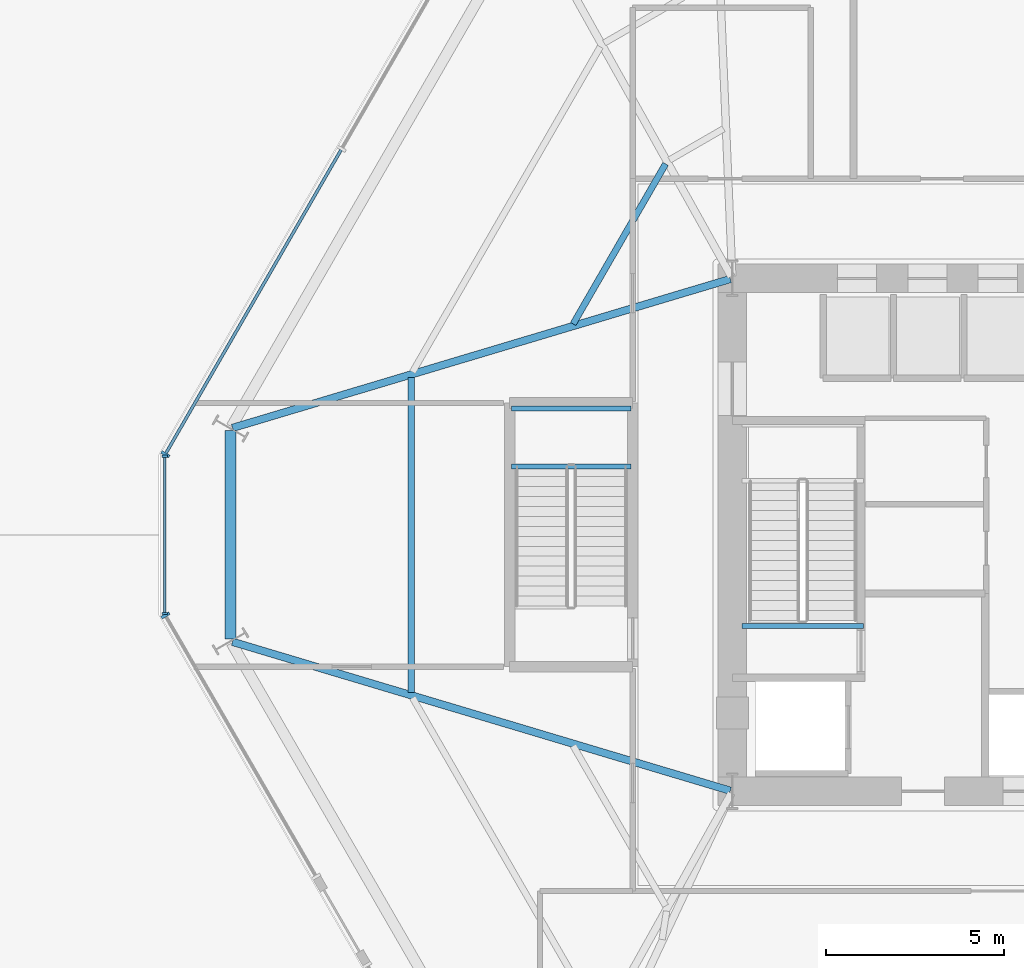
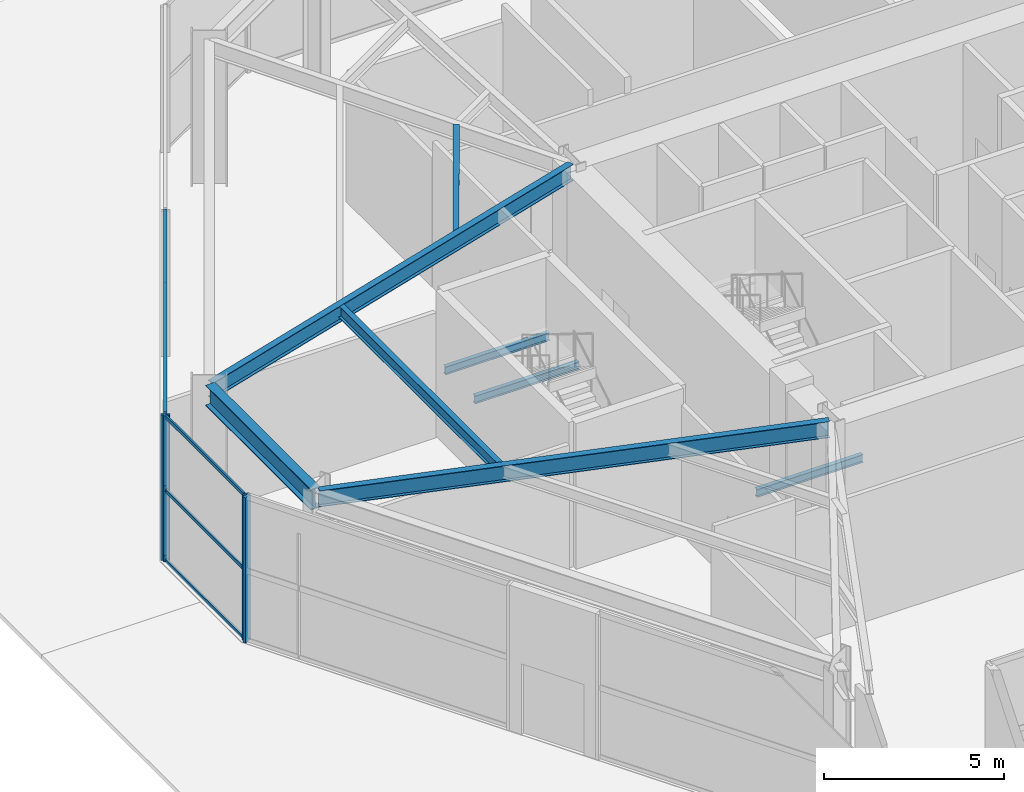
# One storey, part 7 of 26: 10 members, 8 beams, 3 elements without a shape of their own.
"""IFC4 building model written with IfcOpenShell, lengths in metres."""

import ifcopenshell
import ifcopenshell.guid

model = None  # the IFC model being written
_history = None  # IfcOwnerHistory: only IFC2X3 demands one
_inside = {}  # id of a spatial element -> (the spatial element, [elements in it])
_under = {}  # id of a project, library or spatial element -> (it, [spatial elements below it])
_declared = {}  # id of a project -> (the project, [libraries it declares])
_typed = {}  # id of a type object -> (the type object, [elements of that type])
_made_of = {}  # id of a material, layer set ... -> (it, [elements and type objects made of it])


def new_model(schema):
    """Start an empty IFC model of exactly this schema.

    Asked for "IFC4X3", IfcOpenShell would pick the latest addendum, in which some entities
    have other attributes; the version numbers below select the first issue.
    IFC2X3 requires an IfcOwnerHistory on every rooted entity: one is made here for all.
    """
    global model, _history
    if schema == "IFC4X3":
        model = ifcopenshell.file(schema_version=(4, 3, 0, 0))
    else:
        model = ifcopenshell.file(schema=schema)
    _inside.clear()
    _under.clear()
    _declared.clear()
    _typed.clear()
    _made_of.clear()
    _history = None
    if model.schema == "IFC2X3":
        org = make("IfcOrganization", Name="unknown")
        user = make(
            "IfcPersonAndOrganization",
            ThePerson=make("IfcPerson", FamilyName="unknown"),
            TheOrganization=org,
        )
        app = make(
            "IfcApplication",
            ApplicationDeveloper=org,
            Version="unknown",
            ApplicationFullName="unknown",
            ApplicationIdentifier="unknown",
        )
        _history = make(
            "IfcOwnerHistory",
            OwningUser=user,
            OwningApplication=app,
            ChangeAction="ADDED",
            CreationDate=0,
        )
    return model


def make(cls, **values):
    """One entity of the class cls with the attributes given. An attribute that is None is left unset."""
    return model.create_entity(
        cls, **{name: value for name, value in values.items() if value is not None}
    )


def rooted(cls, **values):
    """An entity with a GlobalId (a new one), such as an element, a storey or a relation."""
    return make(cls, GlobalId=ifcopenshell.guid.new(), OwnerHistory=_history, **values)


def si_unit(unit_type, name, prefix=None):
    """IfcSIUnit, for example si_unit("LENGTHUNIT", "METRE", prefix="MILLI")."""
    return make("IfcSIUnit", UnitType=unit_type, Prefix=prefix, Name=name)


def assignment(units):
    """IfcUnitAssignment: the units of a project."""
    return None if units is None else make("IfcUnitAssignment", Units=units)


def point(xyz):
    """IfcCartesianPoint."""
    return None if xyz is None else make("IfcCartesianPoint", Coordinates=xyz)


def direction(xyz):
    """IfcDirection."""
    return None if xyz is None else make("IfcDirection", DirectionRatios=xyz)


def frame(location, z_axis=None, x_axis=None):
    """IfcAxis2Placement3D, a coordinate frame: its origin and axes. An axis left out is left unset."""
    return make(
        "IfcAxis2Placement3D",
        Location=point(location),
        Axis=direction(z_axis),
        RefDirection=direction(x_axis),
    )


def frame_2d(location, x_axis=None):
    """IfcAxis2Placement2D, a coordinate frame in the plane: its origin and x axis."""
    return make(
        "IfcAxis2Placement2D", Location=point(location), RefDirection=direction(x_axis)
    )


def origin():
    """The frame at (0, 0, 0) with its axes left unset."""
    return frame((0.0, 0.0, 0.0))


def origin_2d():
    """The frame at (0, 0) in the plane with its x axis left unset."""
    return frame_2d((0.0, 0.0))


def place(relative_to, where):
    """IfcLocalPlacement: puts the frame where relative to a parent placement (None: the world)."""
    return make(
        "IfcLocalPlacement", PlacementRelTo=relative_to, RelativePlacement=where
    )


def context(
    kind, dimensions, precision=None, world=None, true_north=None, identifier=None
):
    """IfcGeometricRepresentationContext, for example the 3D "Model" context."""
    return make(
        "IfcGeometricRepresentationContext",
        ContextIdentifier=identifier,
        ContextType=kind,
        CoordinateSpaceDimension=dimensions,
        Precision=precision,
        WorldCoordinateSystem=world,
        TrueNorth=true_north,
    )


def subcontext(parent, identifier, kind, view, scale=None):
    """IfcGeometricRepresentationSubContext, for example "Body" below "Model"."""
    return make(
        "IfcGeometricRepresentationSubContext",
        ContextIdentifier=identifier,
        ContextType=kind,
        ParentContext=parent,
        TargetScale=scale,
        TargetView=view,
    )


def project(units=None, contexts=None):
    """IfcProject with its units and contexts."""
    return rooted(
        "IfcProject",
        Name="project",
        RepresentationContexts=contexts,
        UnitsInContext=assignment(units),
    )


def spatial(cls, under=None, at=None, **own):
    """A site, building, storey or space (cls), placed at a placement, below another one or the project."""
    s = rooted(cls, ObjectPlacement=at, **own)
    if under is not None:
        _under.setdefault(under.id(), (under, []))[1].append(s)
    return s


def profile(cls, at=None, kind="AREA", **sizes):
    """A parametric profile (cls). Its sizes go by their IFC names, for example OverallWidth=200.0."""
    return make(cls, ProfileType=kind, Position=at, **sizes)


def rectangle(**sizes):
    """IfcRectangleProfileDef."""
    return profile("IfcRectangleProfileDef", **sizes)


def i_section(**sizes):
    """IfcIShapeProfileDef."""
    return profile("IfcIShapeProfileDef", **sizes)


def extrude(swept, where, along, depth):
    """IfcExtrudedAreaSolid: the profile swept, set in the frame where, extruded along a direction by depth."""
    return make(
        "IfcExtrudedAreaSolid",
        SweptArea=swept,
        Position=where,
        ExtrudedDirection=direction(along),
        Depth=depth,
    )


def shape(context_of_items, identifier, shape_type, items):
    """IfcShapeRepresentation: the items that make up one representation, for example the "Body"."""
    return make(
        "IfcShapeRepresentation",
        ContextOfItems=context_of_items,
        RepresentationIdentifier=identifier,
        RepresentationType=shape_type,
        Items=items,
    )


def material(Name=None, Category=None):
    """IfcMaterial."""
    return make("IfcMaterial", Name=Name, Category=Category)


def layer(
    of_material, thickness, ventilated=None, Name=None, Category=None, Priority=None
):
    """IfcMaterialLayer: one layer of a wall or slab, of a material (None: an air gap)."""
    return make(
        "IfcMaterialLayer",
        Material=of_material,
        LayerThickness=thickness,
        IsVentilated=ventilated,
        Name=Name,
        Category=Category,
        Priority=Priority,
    )


def layer_set(layers, Name=None):
    """IfcMaterialLayerSet."""
    return make("IfcMaterialLayerSet", MaterialLayers=layers, LayerSetName=Name)


def material_profile(
    of_material, cross_section, Name=None, Category=None, Priority=None
):
    """IfcMaterialProfile: a cross section and its material."""
    return make(
        "IfcMaterialProfile",
        Name=Name,
        Material=of_material,
        Profile=cross_section,
        Priority=Priority,
        Category=Category,
    )


def profile_set(profiles, Name=None, composite=None):
    """IfcMaterialProfileSet."""
    return make(
        "IfcMaterialProfileSet",
        Name=Name,
        MaterialProfiles=profiles,
        CompositeProfile=composite,
    )


def made_of(thing, what):
    """Note that an element or type object is made of a material, layer set ...; save() writes the relation."""
    if what is not None:
        _made_of.setdefault(what.id(), (what, []))[1].append(thing)
    return thing


def type_object(cls, material=None, **own):
    """A type object (cls), such as IfcWallType, which elements share."""
    return made_of(rooted(cls, **own), material)


def element(
    cls,
    number,
    at=None,
    inside=None,
    cuts=None,
    type_object=None,
    material=None,
    context=None,
    identifier="Body",
    shape_type=None,
    held_by="IfcProductDefinitionShape",
    body=None,
    shapes=None,
    **own,
):
    """One element of the class cls, such as IfcWall. Its Tag is "e" and its number.

    at: its placement. inside: the storey or other place that contains it. cuts: it is an
    opening in that element (IfcRelVoidsElement). A single representation is given by context,
    identifier, shape_type and body (its items); several are given by shapes. held_by: the class
    of the entity that holds the representations. save() writes the other relations.
    """
    e = rooted(cls, Tag="e%d" % number, ObjectPlacement=at, **own)
    if body is not None:
        shapes = [shape(context, identifier, shape_type, body)]
    if shapes is not None:
        e.Representation = make(held_by, Representations=shapes)
    if inside is not None:
        _inside.setdefault(inside.id(), (inside, []))[1].append(e)
    if cuts is not None:
        rooted(
            "IfcRelVoidsElement", RelatingBuildingElement=cuts, RelatedOpeningElement=e
        )
    if type_object is not None:
        _typed.setdefault(type_object.id(), (type_object, []))[1].append(e)
    return made_of(e, material)


def aggregate(whole, parts):
    """IfcRelAggregates: a whole, such as a stair, and the parts it consists of."""
    return rooted("IfcRelAggregates", RelatingObject=whole, RelatedObjects=parts)


def save(model, path):
    """Write the relations noted so far, then the file.

    IfcRelAggregates (storeys below a building ...), IfcRelContainedInSpatialStructure (elements
    in a storey), IfcRelDefinesByType, IfcRelAssociatesMaterial and IfcRelDeclares: one each for
    every whole, place, type object, material and project.
    """
    for whole, parts in _under.values():
        aggregate(whole, parts)
    for where, things in _inside.values():
        rooted(
            "IfcRelContainedInSpatialStructure",
            RelatedElements=things,
            RelatingStructure=where,
        )
    for kind, things in _typed.values():
        rooted("IfcRelDefinesByType", RelatedObjects=things, RelatingType=kind)
    for what, things in _made_of.values():
        rooted("IfcRelAssociatesMaterial", RelatedObjects=things, RelatingMaterial=what)
    for by, libraries in _declared.values():
        rooted("IfcRelDeclares", RelatingContext=by, RelatedDefinitions=libraries)
    model.write(path)


model = new_model("IFC4")

# Units and contexts
model_context = context("Model", 3, precision=1e-05, world=origin(), true_north=direction((0.0, 1.0)))
body_context = subcontext(model_context, "Body", "Model", "MODEL_VIEW")
ifc_project = project(units=[si_unit("LENGTHUNIT", "METRE"), si_unit("AREAUNIT", "SQUARE_METRE"), si_unit("VOLUMEUNIT", "CUBIC_METRE"), si_unit("PLANEANGLEUNIT", "RADIAN"), si_unit("MASSUNIT", "GRAM", prefix="KILO")], contexts=[model_context])

# Site, building, storey
site_placement = place(None, origin())
site = spatial("IfcSite", under=ifc_project, at=site_placement, CompositionType="ELEMENT")
building_placement = place(site_placement, origin())
building = spatial("IfcBuilding", under=site, at=building_placement, Name="Kranzbogen Civic Tower", CompositionType="ELEMENT")
storey_placement = place(building_placement, origin())
storey = spatial("IfcBuildingStorey", under=building, at=storey_placement, Name="L00", CompositionType="ELEMENT", Elevation=0.0)

# Curtain wall, members
ifc_material_1 = material(Name="Pale Anodised Aluminium", Category="aluminium")
ifc_layer_1 = layer(ifc_material_1, 0.219970703125, Name="Pale Anodised Aluminium")
ifc_layer_set_1 = layer_set([ifc_layer_1], Name="Pale Anodised Aluminium")
curtain_wall_type_1 = type_object("IfcCurtainWallType", Name="Chamfer Facet Stick Curtain Wall System CW-06", PredefinedType="USERDEFINED", material=ifc_layer_set_1)
curtain_wall_1_placement = place(storey_placement, origin())
curtain_wall_1 = element("IfcCurtainWall", 1, at=curtain_wall_1_placement, inside=storey, type_object=curtain_wall_type_1, Name="L00 curtain wall CW-L00-C3", ObjectType="STICK CURTAIN WALL", PredefinedType="USERDEFINED")
ifc_material_profile_1 = material_profile(ifc_material_1, rectangle(XDim=0.06005859375, YDim=0.159912109375, at=origin_2d()), Name="ALU-M 60x160")
ifc_profile_set_1 = profile_set([ifc_material_profile_1], Name="Pale Anodised Aluminium")
member_type_1 = type_object("IfcMemberType", Name="Curtain Wall Mullion ALU-M 60x160", PredefinedType="MULLION", material=ifc_profile_set_1)
member_1_placement = place(storey_placement, frame((1.26611328125, 27.20703125, 0.0), z_axis=(0.0, 0.0, 1.0), x_axis=(0.0, -1.0, 0.0)))
member_1 = element("IfcMember", 2, at=member_1_placement, type_object=member_type_1, Name="CW-06 mullion 1", PredefinedType="MULLION", context=body_context, shape_type="SweptSolid", body=[
    extrude(rectangle(XDim=0.06005859375, YDim=0.159912109375, at=origin_2d()), origin(), (0.0, 0.0, 1.0), 4.93994140625),
])
member_2_placement = place(storey_placement, frame((1.26611328125, 22.79296875, 0.0), z_axis=(0.0, 0.0, 1.0), x_axis=(0.0, -1.0, 0.0)))
member_2 = element("IfcMember", 3, at=member_2_placement, type_object=member_type_1, Name="CW-06 mullion 2", PredefinedType="MULLION", context=body_context, shape_type="SweptSolid", body=[
    extrude(rectangle(XDim=0.06005859375, YDim=0.159912109375, at=origin_2d()), origin(), (0.0, 0.0, 1.0), 4.93994140625),
])

# Curtain wall, member
ifc_layer_2 = layer(ifc_material_1, 0.219970703125, Name="Pale Anodised Aluminium")
ifc_layer_set_2 = layer_set([ifc_layer_2], Name="Pale Anodised Aluminium")
curtain_wall_type_2 = type_object("IfcCurtainWallType", Name="Podium Stick Curtain Wall System CW-01", PredefinedType="USERDEFINED", material=ifc_layer_set_2)
curtain_wall_2_placement = place(storey_placement, origin())
curtain_wall_2 = element("IfcCurtainWall", 4, at=curtain_wall_2_placement, inside=storey, type_object=curtain_wall_type_2, Name="L00 curtain wall CW-L00-F3", ObjectType="STICK CURTAIN WALL", PredefinedType="USERDEFINED")
ifc_material_profile_2 = material_profile(ifc_material_1, rectangle(XDim=0.0849609375, YDim=0.260009765625, at=origin_2d()), Name="ALU-M 85x260")
ifc_profile_set_2 = profile_set([ifc_material_profile_2], Name="Pale Anodised Aluminium")
member_type_2 = type_object("IfcMemberType", Name="Curtain Wall Mullion ALU-M 85x260", PredefinedType="MULLION", material=ifc_profile_set_2)
member_3_placement = place(storey_placement, frame((1.281005859375, 27.262939453125, 0.0), z_axis=(0.0, 0.0, 1.0), x_axis=(-0.500005767433, -0.86602207393, 0.0)))
member_3 = element("IfcMember", 5, at=member_3_placement, type_object=member_type_2, Name="CW-01 mullion 3", PredefinedType="MULLION", context=body_context, shape_type="SweptSolid", body=[
    extrude(rectangle(XDim=0.0849609375, YDim=0.260009765625, at=origin_2d()), origin(), (0.0, 0.0, 1.0), 4.93994140625),
])

curtain_wall_3_placement = place(storey_placement, origin())
curtain_wall_3 = element("IfcCurtainWall", 6, at=curtain_wall_3_placement, inside=storey, type_object=curtain_wall_type_2, Name="L00 curtain wall CW-L00-F4-S1", ObjectType="STICK CURTAIN WALL", PredefinedType="USERDEFINED")
member_4_placement = place(storey_placement, frame((1.281005859375, 22.737060546875, 0.0), z_axis=(0.0, 0.0, 1.0), x_axis=(0.500009985053, -0.866019638835, 0.0)))
member_4 = element("IfcMember", 7, at=member_4_placement, type_object=member_type_2, Name="CW-01 mullion 1", PredefinedType="MULLION", context=body_context, shape_type="SweptSolid", body=[
    extrude(rectangle(XDim=0.0849609375, YDim=0.260009765625, at=origin_2d()), origin(), (0.0, 0.0, 1.0), 4.93994140625),
])
aggregate(curtain_wall_3, [member_4])

# Member
ifc_material_profile_3 = material_profile(ifc_material_1, rectangle(XDim=0.06005859375, YDim=0.1201171875, at=origin_2d()), Name="ALU-T 60x120")
ifc_profile_set_3 = profile_set([ifc_material_profile_3], Name="Pale Anodised Aluminium")
member_type_3 = type_object("IfcMemberType", Name="Curtain Wall Transom ALU-T 60x120", PredefinedType="USERDEFINED", material=ifc_profile_set_3)
member_5_placement = place(storey_placement, frame((1.26611328125, 27.177001953125, 0.030029296875), z_axis=(0.0, -1.0, 0.0), x_axis=(1.0, 0.0, 0.0)))
member_5 = element("IfcMember", 8, at=member_5_placement, type_object=member_type_3, Name="CW-06 transom 1.1", ObjectType="TRANSOM", PredefinedType="USERDEFINED", context=body_context, shape_type="SweptSolid", body=[
    extrude(rectangle(XDim=0.06005859375, YDim=0.1201171875, at=origin_2d()), origin(), (0.0, 0.0, 1.0), 4.35400390625),
])

member_6_placement = place(storey_placement, frame((1.26611328125, 27.177001953125, 2.39990234375), z_axis=(0.0, -1.0, 0.0), x_axis=(1.0, 0.0, 0.0)))
member_6 = element("IfcMember", 9, at=member_6_placement, type_object=member_type_3, Name="CW-06 transom 1.2", ObjectType="TRANSOM", PredefinedType="USERDEFINED", context=body_context, shape_type="SweptSolid", body=[
    extrude(rectangle(XDim=0.06005859375, YDim=0.1201171875, at=origin_2d()), origin(), (0.0, 0.0, 1.0), 4.35400390625),
])

member_7_placement = place(storey_placement, frame((1.26611328125, 27.177001953125, 4.909912109375), z_axis=(0.0, -1.0, 0.0), x_axis=(1.0, 0.0, 0.0)))
member_7 = element("IfcMember", 10, at=member_7_placement, type_object=member_type_3, Name="CW-06 transom 1.3", ObjectType="TRANSOM", PredefinedType="USERDEFINED", context=body_context, shape_type="SweptSolid", body=[
    extrude(rectangle(XDim=0.06005859375, YDim=0.1201171875, at=origin_2d()), origin(), (0.0, 0.0, 1.0), 4.35400390625),
])

aggregate(curtain_wall_1, [member_1, member_2, member_5, member_6, member_7])

ifc_material_profile_4 = material_profile(ifc_material_1, rectangle(XDim=0.0849609375, YDim=0.195068359375, at=origin_2d()), Name="ALU-T 85x195")
ifc_profile_set_4 = profile_set([ifc_material_profile_4], Name="Pale Anodised Aluminium")
member_type_4 = type_object("IfcMemberType", Name="Curtain Wall Transom ALU-T 85x195", PredefinedType="USERDEFINED", material=ifc_profile_set_4)
member_8_placement = place(storey_placement, frame((6.216064453125, 35.810546875, 0.030029296875), z_axis=(-0.500021701106, -0.866012874282, 0.0), x_axis=(0.866012874282, -0.500021701106, 0.0)))
member_8 = element("IfcMember", 11, at=member_8_placement, type_object=member_type_4, Name="CW-01 transom 2.1", ObjectType="TRANSOM", PredefinedType="USERDEFINED", context=body_context, shape_type="SweptSolid", body=[
    extrude(rectangle(XDim=0.0849609375, YDim=0.195068359375, at=origin_2d()), origin(), (0.0, 0.0, 1.0), 9.83984375),
])

member_9_placement = place(storey_placement, frame((6.216064453125, 35.810546875, 2.39990234375), z_axis=(-0.500021701106, -0.866012874282, 0.0), x_axis=(0.866012874282, -0.500021701106, 0.0)))
member_9 = element("IfcMember", 12, at=member_9_placement, type_object=member_type_4, Name="CW-01 transom 2.2", ObjectType="TRANSOM", PredefinedType="USERDEFINED", context=body_context, shape_type="SweptSolid", body=[
    extrude(rectangle(XDim=0.0849609375, YDim=0.195068359375, at=origin_2d()), origin(), (0.0, 0.0, 1.0), 9.83984375),
])

member_10_placement = place(storey_placement, frame((6.216064453125, 35.810546875, 4.909912109375), z_axis=(-0.500021701106, -0.866012874282, 0.0), x_axis=(0.866012874282, -0.500021701106, 0.0)))
member_10 = element("IfcMember", 13, at=member_10_placement, type_object=member_type_4, Name="CW-01 transom 2.3", ObjectType="TRANSOM", PredefinedType="USERDEFINED", context=body_context, shape_type="SweptSolid", body=[
    extrude(rectangle(XDim=0.0849609375, YDim=0.195068359375, at=origin_2d()), origin(), (0.0, 0.0, 1.0), 9.83984375),
])

aggregate(curtain_wall_2, [member_3, member_8, member_9, member_10])

# Beams
ifc_material_2 = material(Name="Steel S355", Category="steel")
ifc_material_profile_5 = material_profile(ifc_material_2, i_section(OverallWidth=0.300048828125, OverallDepth=0.699951171875, WebThickness=0.01708984375, FlangeThickness=0.031982421875, at=origin_2d()), Name="HEB 700")
ifc_profile_set_5 = profile_set([ifc_material_profile_5], Name="Steel S355")
beam_type_1 = type_object("IfcBeamType", Name="Perimeter Tube Spandrel Beam HEB 700", PredefinedType="SPANDREL", material=ifc_profile_set_5)
beam_1_placement = place(storey_placement, frame((3.110107421875, 27.926025390625, 4.590087890625), z_axis=(0.0, -1.0, 0.0), x_axis=(1.0, 0.0, 0.0)))
element("IfcBeam", 14, at=beam_1_placement, inside=storey, type_object=beam_type_1, Name="L00 perimeter spandrel beam 12", PredefinedType="SPANDREL", context=body_context, shape_type="SweptSolid", body=[
    extrude(i_section(OverallWidth=0.300048828125, OverallDepth=0.699951171875, WebThickness=0.01708984375, FlangeThickness=0.031982421875, at=origin_2d()), origin(), (0.0, 0.0, 1.0), 5.85205078125),
])
ifc_material_profile_6 = material_profile(ifc_material_2, i_section(OverallWidth=0.2099609375, OverallDepth=0.550048828125, WebThickness=0.010986328125, FlangeThickness=0.01708984375, at=origin_2d()), Name="IPE 550")
ifc_profile_set_6 = profile_set([ifc_material_profile_6], Name="Steel S355")
beam_type_2 = type_object("IfcBeamType", Name="Radial Tower Floor Girder IPE 550", PredefinedType="BEAM", material=ifc_profile_set_6)
for number, where, z_axis, x_axis, name in (
    (15, (3.1669921875, 21.9970703125, 4.6650390625), (0.958064557048, -0.286552446385, 0.0), (0.286552446385, 0.958064557048, 0.0), "L00 radial floor girder 01"),
    (16, (3.1669921875, 28.0029296875, 4.6650390625), (0.958064557048, 0.286552446385, 0.0), (-0.286552446385, 0.958064557048, 0.0), "L00 radial floor girder 12"),
):
    element("IfcBeam", number, at=place(storey_placement, frame(where, z_axis=z_axis, x_axis=x_axis)), inside=storey, type_object=beam_type_2, Name=name, PredefinedType="BEAM", context=body_context, shape_type="SweptSolid", body=[
        extrude(i_section(OverallWidth=0.2099609375, OverallDepth=0.550048828125, WebThickness=0.010986328125, FlangeThickness=0.01708984375, at=origin_2d()), origin(), (0.0, 0.0, 1.0), 14.587890625),
    ])
ifc_material_profile_7 = material_profile(ifc_material_2, i_section(OverallWidth=0.179931640625, OverallDepth=0.39990234375, WebThickness=0.008544921875, FlangeThickness=0.013427734375, at=origin_2d()), Name="IPE 400")
ifc_profile_set_7 = profile_set([ifc_material_profile_7], Name="Steel S355")
beam_type_3 = type_object("IfcBeamType", Name="Secondary Composite Floor Joist IPE 400", PredefinedType="JOIST", material=ifc_profile_set_7)
beam_2_placement = place(storey_placement, frame((15.325927734375, 35.4150390625, 4.739990234375), z_axis=(-0.500040090343, -0.866002256377, 0.0), x_axis=(0.866002256377, -0.500040090343, 0.0)))
element("IfcBeam", 17, at=beam_2_placement, inside=storey, type_object=beam_type_3, Name="L00 secondary floor joist 2.11", PredefinedType="JOIST", context=body_context, shape_type="SweptSolid", body=[
    extrude(i_section(OverallWidth=0.179931640625, OverallDepth=0.39990234375, WebThickness=0.008544921875, FlangeThickness=0.013427734375, at=origin_2d()), origin(), (0.0, 0.0, 1.0), 5.189453125),
])
beam_3_placement = place(storey_placement, frame((8.181884765625, 29.423095703125, 4.739990234375), z_axis=(0.0, -1.0, 0.0), x_axis=(1.0, 0.0, 0.0)))
element("IfcBeam", 18, at=beam_3_placement, inside=storey, type_object=beam_type_3, Name="L00 secondary floor joist 1.12", PredefinedType="JOIST", context=body_context, shape_type="SweptSolid", body=[
    extrude(i_section(OverallWidth=0.179931640625, OverallDepth=0.39990234375, WebThickness=0.008544921875, FlangeThickness=0.013427734375, at=origin_2d()), origin(), (0.0, 0.0, 1.0), 8.84619140625),
])
ifc_material_profile_8 = material_profile(ifc_material_2, i_section(OverallWidth=0.135009765625, OverallDepth=0.27001953125, WebThickness=0.006591796875, FlangeThickness=0.01025390625, at=origin_2d()), Name="IPE 270")
ifc_profile_set_8 = profile_set([ifc_material_profile_8], Name="Steel S355")
beam_type_4 = type_object("IfcBeamType", Name="Stair Landing Support Beam IPE 270", PredefinedType="JOIST", material=ifc_profile_set_8)
beam_4_placement = place(storey_placement, frame((20.8798828125, 22.43994140625, -0.455078125), z_axis=(-1.0, 0.0, 0.0), x_axis=(0.0, -1.0, 0.0)))
element("IfcBeam", 19, at=beam_4_placement, inside=storey, type_object=beam_type_4, Name="L00 ST-T1 stair floor header beam", PredefinedType="JOIST", context=body_context, shape_type="SweptSolid", body=[
    extrude(i_section(OverallWidth=0.135009765625, OverallDepth=0.27001953125, WebThickness=0.006591796875, FlangeThickness=0.01025390625, at=origin_2d()), origin(), (0.0, 0.0, 1.0), 3.409912109375),
])
for number, where, z_axis, x_axis, name in (
    (20, (14.35009765625, 26.919921875, 2.264892578125), (-1.0, 0.0, 0.0), (0.0, -1.0, 0.0), "L00 ST-P1 landing support beam 1.1"),
    (21, (14.35009765625, 28.550048828125, 2.264892578125), (-1.0, 0.0, 0.0), (0.0, -1.0, 0.0), "L00 ST-P1 landing support beam 1.2"),
):
    element("IfcBeam", number, at=place(storey_placement, frame(where, z_axis=z_axis, x_axis=x_axis)), inside=storey, type_object=beam_type_4, Name=name, PredefinedType="JOIST", context=body_context, shape_type="SweptSolid", body=[
        extrude(i_section(OverallWidth=0.135009765625, OverallDepth=0.27001953125, WebThickness=0.006591796875, FlangeThickness=0.01025390625, at=origin_2d()), origin(), (0.0, 0.0, 1.0), 3.35009765625),
    ])

save(model, "model.ifc")
